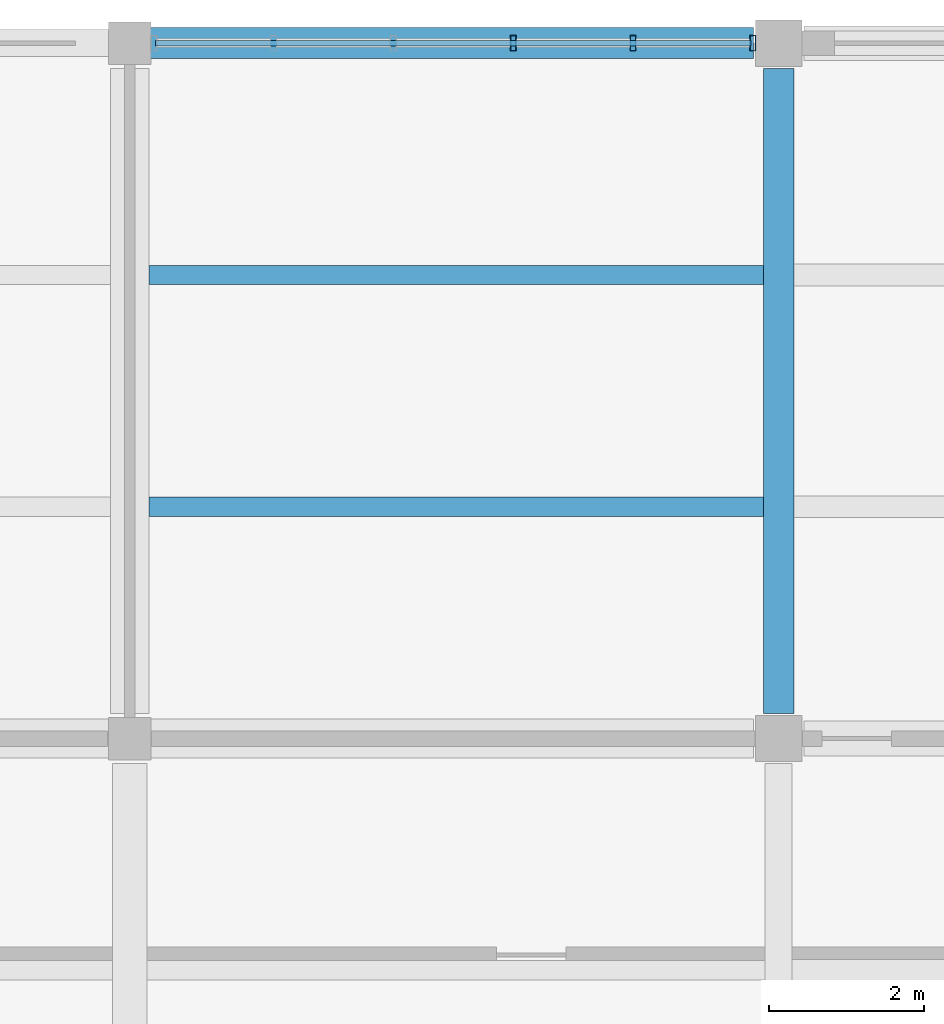
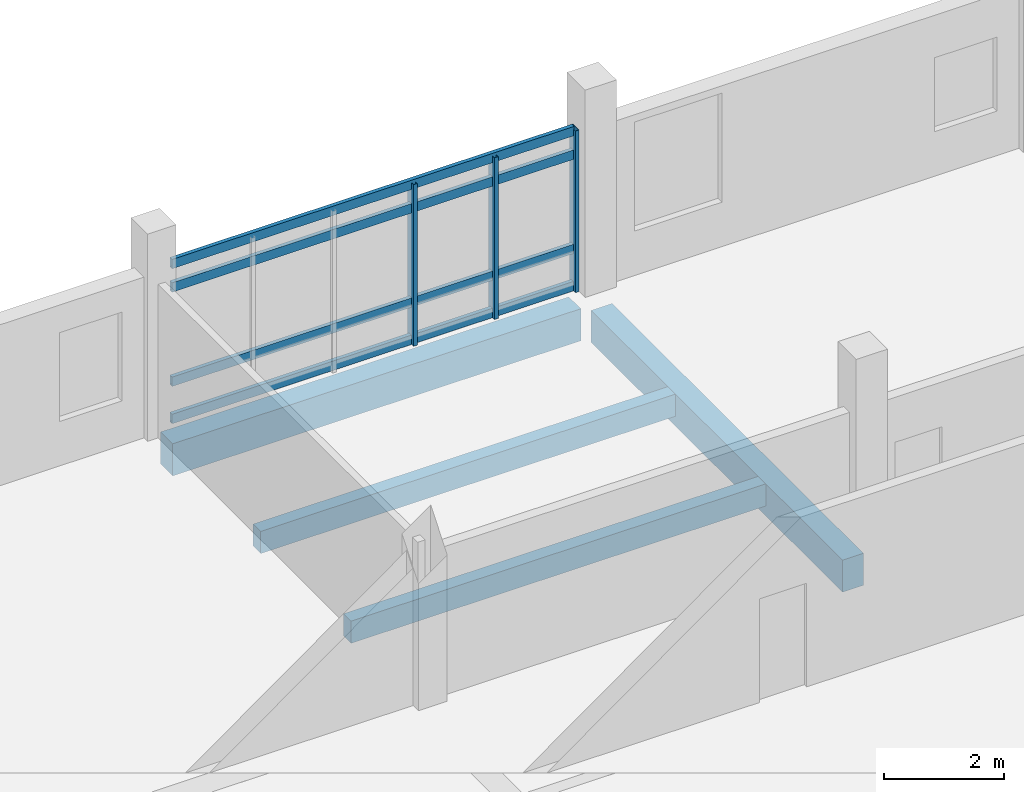
# One storey, part 81 of 130: 7 members, 4 beams, 1 element without a shape of its own.
"""IFC4 building model written with IfcOpenShell, lengths in metres."""

from ifc_helpers import new_model, si_unit, direction, frame, origin, origin_2d, place, context, subcontext, project, spatial, rectangle, hollow_rectangle, extrude, material, layer, layer_set, material_profile, profile_set, type_object, element, aggregate, save


model = new_model("IFC4")

# Units and contexts
model_context = context("Model", 3, precision=1e-05, world=origin(), true_north=direction((0.0, 1.0)))
body_context = subcontext(model_context, "Body", "Model", "MODEL_VIEW")
ifc_project = project(units=[si_unit("LENGTHUNIT", "METRE"), si_unit("AREAUNIT", "SQUARE_METRE"), si_unit("VOLUMEUNIT", "CUBIC_METRE"), si_unit("PLANEANGLEUNIT", "RADIAN"), si_unit("MASSUNIT", "GRAM", prefix="KILO")], contexts=[model_context])

# Site, building, storey
site_placement = place(None, origin())
site = spatial("IfcSite", under=ifc_project, at=site_placement, CompositionType="ELEMENT")
building_placement = place(site_placement, origin())
building = spatial("IfcBuilding", under=site, at=building_placement, Name="Vireocrest Preparatory School", CompositionType="ELEMENT")
storey_placement = place(building_placement, frame((0.0, 0.0, 9.0)))
storey = spatial("IfcBuildingStorey", under=building, at=storey_placement, Name="L02", CompositionType="ELEMENT", Elevation=9.0)

# Curtain wall, members
ifc_material_1 = material(Name="Thermally broken aluminium EN AW-6063-T6", Category="aluminium")
ifc_layer = layer(ifc_material_1, 0.179931640625)
ifc_layer_set = layer_set([ifc_layer], Name="Thermally broken aluminium EN AW-6063-T6")
curtain_wall_type = type_object("IfcCurtainWallType", Name="North Street Curtain Wall 8400x4000", PredefinedType="USERDEFINED", material=ifc_layer_set)
curtain_wall_placement = place(storey_placement, origin())
curtain_wall = element("IfcCurtainWall", 1, at=curtain_wall_placement, inside=storey, type_object=curtain_wall_type, Name="Curtain Wall CW05 CW_L02_CW05_0842_1128_090", ObjectType="CURTAIN WALL", PredefinedType="USERDEFINED")
ifc_material_profile_1 = material_profile(ifc_material_1, hollow_rectangle(XDim=0.074951171875, YDim=0.199951171875, WallThickness=0.0048828125, at=origin_2d()), Name="ALU 75x200x5")
ifc_profile_set_1 = profile_set([ifc_material_profile_1], Name="Thermally broken aluminium EN AW-6063-T6")
member_type_1 = type_object("IfcMemberType", Name="CW Mullion 75x200x5", PredefinedType="MULLION", material=ifc_profile_set_1)
member_1_placement = place(storey_placement, frame((88.962890625, 112.800048828125, 0.0), z_axis=(0.0, 0.0, 1.0), x_axis=(1.0, 0.0, 0.0)))
member_1 = element("IfcMember", 2, at=member_1_placement, type_object=member_type_1, Name="CW Mullion ML3 CW_L02_CW05_0842_1128_090-4", PredefinedType="MULLION", context=body_context, shape_type="SweptSolid", body=[
    extrude(hollow_rectangle(XDim=0.074951171875, YDim=0.199951171875, WallThickness=0.0048828125, at=origin_2d()), origin(), (0.0, 0.0, 1.0), 3.27490234375),
])
member_2_placement = place(storey_placement, frame((90.513916015625, 112.800048828125, 0.0), z_axis=(0.0, 0.0, 1.0), x_axis=(1.0, 0.0, 0.0)))
member_2 = element("IfcMember", 3, at=member_2_placement, type_object=member_type_1, Name="CW Mullion ML3 CW_L02_CW05_0842_1128_090-5", PredefinedType="MULLION", context=body_context, shape_type="SweptSolid", body=[
    extrude(hollow_rectangle(XDim=0.074951171875, YDim=0.199951171875, WallThickness=0.0048828125, at=origin_2d()), origin(), (0.0, 0.0, 1.0), 3.27490234375),
])
member_3_placement = place(storey_placement, frame((92.06494140625, 112.800048828125, 0.0), z_axis=(0.0, 0.0, 1.0), x_axis=(1.0, 0.0, 0.0)))
member_3 = element("IfcMember", 4, at=member_3_placement, type_object=member_type_1, Name="CW Mullion ML3 CW_L02_CW05_0842_1128_090-6", PredefinedType="MULLION", context=body_context, shape_type="SweptSolid", body=[
    extrude(hollow_rectangle(XDim=0.074951171875, YDim=0.199951171875, WallThickness=0.0048828125, at=origin_2d()), origin(), (0.0, 0.0, 1.0), 3.27490234375),
])
ifc_material_profile_2 = material_profile(ifc_material_1, hollow_rectangle(XDim=0.074951171875, YDim=0.18994140625, WallThickness=0.00390625, at=origin_2d()), Name="ALU 75x190x4")
ifc_profile_set_2 = profile_set([ifc_material_profile_2], Name="Thermally broken aluminium EN AW-6063-T6")
member_type_2 = type_object("IfcMemberType", Name="CW Transom 75x190x4", PredefinedType="USERDEFINED", material=ifc_profile_set_2)
member_4_placement = place(storey_placement, frame((84.3349609375, 112.800048828125, 0.094970703125), z_axis=(1.0, 0.0, 0.0), x_axis=(0.0, 1.0, 0.0)))
member_4 = element("IfcMember", 5, at=member_4_placement, type_object=member_type_2, Name="CW Transom TR3 CW_L02_CW05_0842_1128_090-1", ObjectType="TRANSOM", PredefinedType="USERDEFINED", context=body_context, shape_type="SweptSolid", body=[
    extrude(hollow_rectangle(XDim=0.074951171875, YDim=0.18994140625, WallThickness=0.00390625, at=origin_2d()), origin(), (0.0, 0.0, 1.0), 7.705078125),
])
member_5_placement = place(storey_placement, frame((84.3349609375, 112.800048828125, 0.85009765625), z_axis=(1.0, 0.0, 0.0), x_axis=(0.0, 1.0, 0.0)))
member_5 = element("IfcMember", 6, at=member_5_placement, type_object=member_type_2, Name="CW Transom TR3 CW_L02_CW05_0842_1128_090-2", ObjectType="TRANSOM", PredefinedType="USERDEFINED", context=body_context, shape_type="SweptSolid", body=[
    extrude(hollow_rectangle(XDim=0.074951171875, YDim=0.18994140625, WallThickness=0.00390625, at=origin_2d()), origin(), (0.0, 0.0, 1.0), 7.705078125),
])
member_6_placement = place(storey_placement, frame((84.3349609375, 112.800048828125, 2.760009765625), z_axis=(1.0, 0.0, 0.0), x_axis=(0.0, 1.0, 0.0)))
member_6 = element("IfcMember", 7, at=member_6_placement, type_object=member_type_2, Name="CW Transom TR3 CW_L02_CW05_0842_1128_090-3", ObjectType="TRANSOM", PredefinedType="USERDEFINED", context=body_context, shape_type="SweptSolid", body=[
    extrude(hollow_rectangle(XDim=0.074951171875, YDim=0.18994140625, WallThickness=0.00390625, at=origin_2d()), origin(), (0.0, 0.0, 1.0), 7.705078125),
])
member_7_placement = place(storey_placement, frame((84.3349609375, 112.800048828125, 3.235107421875), z_axis=(1.0, 0.0, 0.0), x_axis=(0.0, 1.0, 0.0)))
member_7 = element("IfcMember", 8, at=member_7_placement, type_object=member_type_2, Name="CW Transom TR3 CW_L02_CW05_0842_1128_090-4", ObjectType="TRANSOM", PredefinedType="USERDEFINED", context=body_context, shape_type="SweptSolid", body=[
    extrude(hollow_rectangle(XDim=0.074951171875, YDim=0.18994140625, WallThickness=0.00390625, at=origin_2d()), origin(), (0.0, 0.0, 1.0), 7.705078125),
])
aggregate(curtain_wall, [member_1, member_2, member_3, member_4, member_5, member_6, member_7])

# Beams
ifc_material_2 = material(Name="Concrete 40 MPa", Category="concrete")
ifc_material_profile_3 = material_profile(ifc_material_2, rectangle(XDim=0.39990234375, YDim=0.64990234375, at=origin_2d()), Name="RC 400x650")
ifc_profile_set_3 = profile_set([ifc_material_profile_3], Name="Concrete 40 MPa")
beam_type_1 = type_object("IfcBeamType", Name="RC Laboratory Girder 400x650", PredefinedType="BEAM", material=ifc_profile_set_3)
beam_1_placement = place(storey_placement, frame((84.25, 112.800048828125, -0.60498046875), z_axis=(1.0, 0.0, 0.0), x_axis=(0.0, 1.0, 0.0)))
element("IfcBeam", 9, at=beam_1_placement, inside=storey, type_object=beam_type_1, Name="Primary Girder B07 L02-0779", PredefinedType="BEAM", context=body_context, shape_type="SweptSolid", body=[
    extrude(rectangle(XDim=0.39990234375, YDim=0.64990234375, at=origin_2d()), origin(), (0.0, 0.0, 1.0), 7.824951171875),
])
beam_2_placement = place(storey_placement, frame((92.39990234375, 104.125, -0.60498046875), z_axis=(0.0, 1.0, 0.0), x_axis=(-1.0, 0.0, 0.0)))
element("IfcBeam", 10, at=beam_2_placement, inside=storey, type_object=beam_type_1, Name="Primary Girder B07 L02-0846", PredefinedType="BEAM", context=body_context, shape_type="SweptSolid", body=[
    extrude(rectangle(XDim=0.39990234375, YDim=0.64990234375, at=origin_2d()), origin(), (0.0, 0.0, 1.0), 8.35009765625),
])
ifc_material_profile_4 = material_profile(ifc_material_2, rectangle(XDim=0.25, YDim=0.449951171875, at=origin_2d()), Name="RC 250x450")
ifc_profile_set_4 = profile_set([ifc_material_profile_4], Name="Concrete 40 MPa")
beam_type_2 = type_object("IfcBeamType", Name="RC Secondary Floor Joist 250x450", PredefinedType="JOIST", material=ifc_profile_set_4)
for number, where, z_axis, x_axis, name in (
    (11, (84.25, 106.800048828125, -0.5048828125), (1.0, 0.0, 0.0), (0.0, 1.0, 0.0), "Secondary Joist J01 L02-0964"),
    (12, (84.25, 109.800048828125, -0.5048828125), (1.0, 0.0, 0.0), (0.0, 1.0, 0.0), "Secondary Joist J01 L02-0965"),
):
    element("IfcBeam", number, at=place(storey_placement, frame(where, z_axis=z_axis, x_axis=x_axis)), inside=storey, type_object=beam_type_2, Name=name, PredefinedType="JOIST", context=body_context, shape_type="SweptSolid", body=[
        extrude(rectangle(XDim=0.25, YDim=0.449951171875, at=origin_2d()), origin(), (0.0, 0.0, 1.0), 7.949951171875),
    ])

save(model, "model.ifc")
